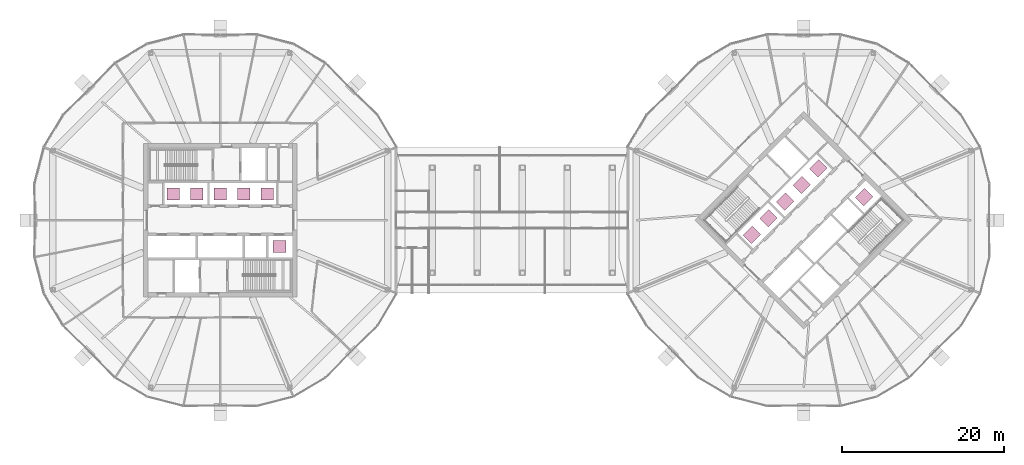
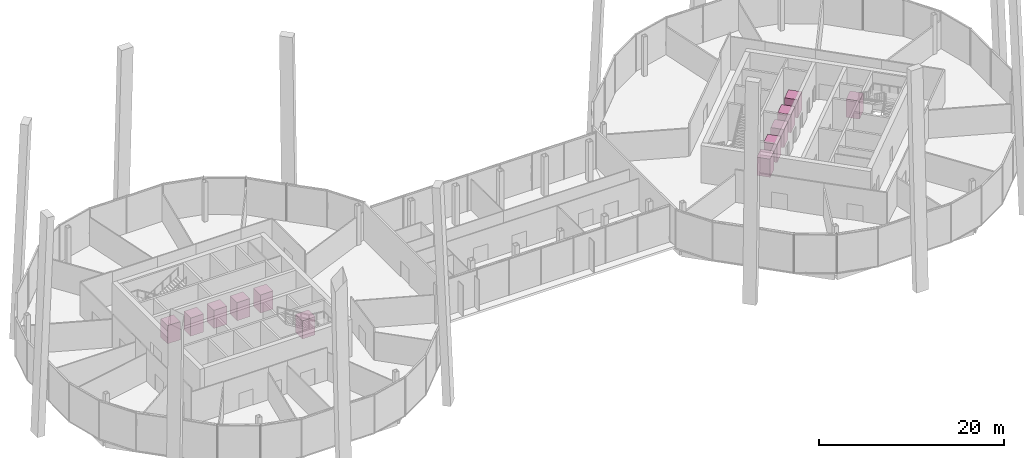
# One storey, part 28 of 28: 12 transport elements.
"""IFC4 building model written with IfcOpenShell, lengths in metres."""

from ifc_helpers import new_model, si_unit, direction, frame, origin, origin_2d, place, context, subcontext, project, spatial, rectangle, extrude, material, type_object, element, save


model = new_model("IFC4")

# Units and contexts
model_context = context("Model", 3, precision=1e-05, world=origin(), true_north=direction((0.0, 1.0)))
body_context = subcontext(model_context, "Body", "Model", "MODEL_VIEW")
ifc_project = project(units=[si_unit("LENGTHUNIT", "METRE"), si_unit("AREAUNIT", "SQUARE_METRE"), si_unit("VOLUMEUNIT", "CUBIC_METRE"), si_unit("PLANEANGLEUNIT", "RADIAN"), si_unit("MASSUNIT", "GRAM", prefix="KILO")], contexts=[model_context])

# Site, building, storey
site_placement = place(None, origin())
site = spatial("IfcSite", under=ifc_project, at=site_placement, CompositionType="ELEMENT")
building_placement = place(site_placement, origin())
building = spatial("IfcBuilding", under=site, at=building_placement, Name="Ogive Gate Towers", CompositionType="ELEMENT")
storey_placement = place(building_placement, frame((0.0, 0.0, 135.60009765625)))
storey = spatial("IfcBuildingStorey", under=building, at=storey_placement, Name="L32", CompositionType="ELEMENT", Elevation=135.60009765625)

# Transport elements
ifc_material = material(Name="Stainless steel and glass lift car", Category="steel")
transport_element_type = type_object("IfcTransportElementType", Name="Passenger lift car 1600 x 1500", PredefinedType="ELEVATOR", material=ifc_material)
for number, where, z_axis, x_axis, name in (
    (1, (-41.800048828125, 3.25, 0.0), (0.0, 0.0, 1.0), (1.0, 0.0, 0.0), "Passenger lift T1-B1"),
    (2, (-38.89990234375, 3.25, 0.0), (0.0, 0.0, 1.0), (1.0, 0.0, 0.0), "Passenger lift T1-B2"),
    (3, (-36.0, 3.25, 0.0), (0.0, 0.0, 1.0), (1.0, 0.0, 0.0), "Passenger lift T1-B3"),
    (4, (-33.10009765625, 3.25, 0.0), (0.0, 0.0, 1.0), (1.0, 0.0, 0.0), "Passenger lift T1-B4"),
    (5, (-30.199951171875, 3.25, 0.0), (0.0, 0.0, 1.0), (1.0, 0.0, 0.0), "Passenger lift T1-B5"),
    (6, (-28.699951171875, -3.25, 0.0), (0.0, 0.0, 1.0), (1.0, 0.0, 0.0), "Passenger lift T1-B6"),
    (7, (29.6005859375, -1.802978515625, 0.0), (0.0, 0.0, 1.0), (0.707106781187, 0.707106781187, 0.0), "Passenger lift T2-B1"),
    (8, (31.6513671875, 0.24755859375, 0.0), (0.0, 0.0, 1.0), (0.707106781187, 0.707106781187, 0.0), "Passenger lift T2-B2"),
    (9, (33.701904296875, 2.298095703125, 0.0), (0.0, 0.0, 1.0), (0.707106781187, 0.707106781187, 0.0), "Passenger lift T2-B3"),
    (10, (35.75244140625, 4.3486328125, 0.0), (0.0, 0.0, 1.0), (0.707106781187, 0.707106781187, 0.0), "Passenger lift T2-B4"),
    (11, (37.802978515625, 6.3994140625, 0.0), (0.0, 0.0, 1.0), (0.707106781187, 0.707106781187, 0.0), "Passenger lift T2-B5"),
    (12, (43.4599609375, 2.86376953125, 0.0), (0.0, 0.0, 1.0), (0.707106781187, 0.707106781187, 0.0), "Passenger lift T2-B6"),
):
    element("IfcTransportElement", number, at=place(storey_placement, frame(where, z_axis=z_axis, x_axis=x_axis)), inside=storey, type_object=transport_element_type, Name=name, PredefinedType="ELEVATOR", context=body_context, shape_type="SweptSolid", body=[
        extrude(rectangle(XDim=1.60009765625, YDim=1.5, at=origin_2d()), origin(), (0.0, 0.0, 1.0), 2.39990234375),
    ])

save(model, "model.ifc")
